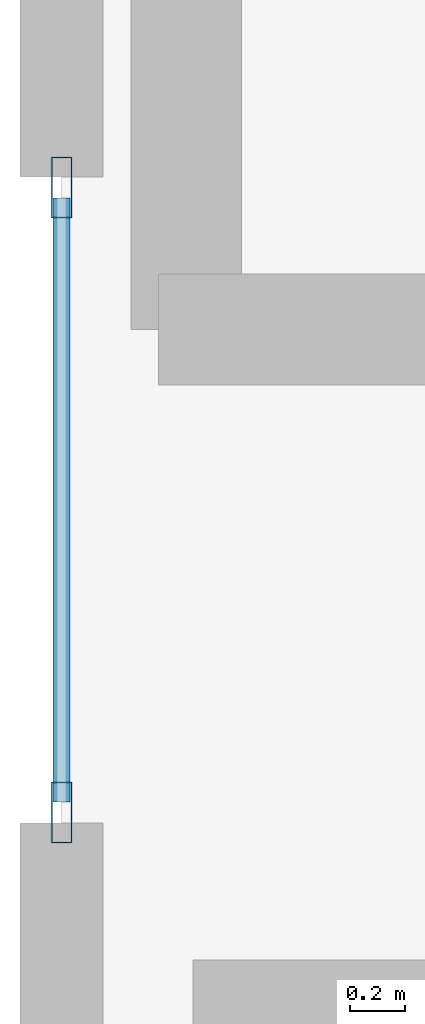
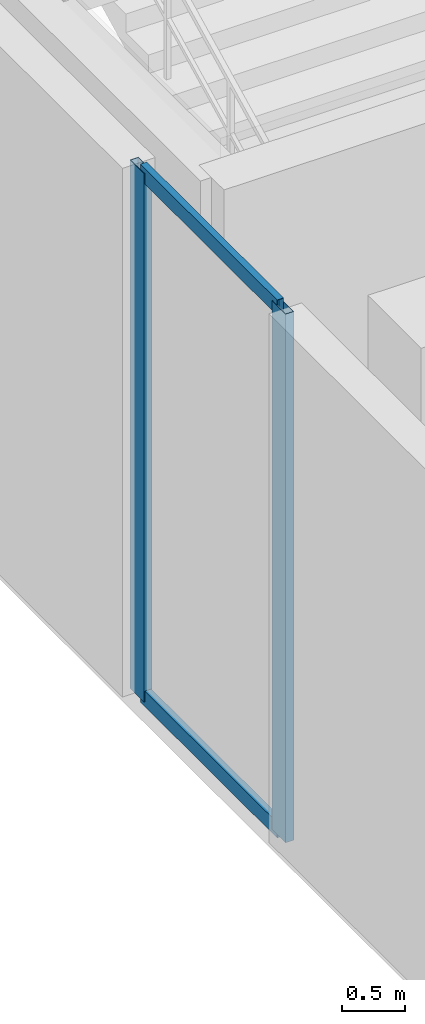
# One storey, part 3 of 30: 4 members, 1 element without a shape of its own.
"""IFC4 building model written with IfcOpenShell, lengths in metres."""

import ifcopenshell
import ifcopenshell.guid

model = None  # the IFC model being written
_history = None  # IfcOwnerHistory: only IFC2X3 demands one
_inside = {}  # id of a spatial element -> (the spatial element, [elements in it])
_under = {}  # id of a project, library or spatial element -> (it, [spatial elements below it])
_declared = {}  # id of a project -> (the project, [libraries it declares])
_typed = {}  # id of a type object -> (the type object, [elements of that type])
_made_of = {}  # id of a material, layer set ... -> (it, [elements and type objects made of it])


def new_model(schema):
    """Start an empty IFC model of exactly this schema.

    Asked for "IFC4X3", IfcOpenShell would pick the latest addendum, in which some entities
    have other attributes; the version numbers below select the first issue.
    IFC2X3 requires an IfcOwnerHistory on every rooted entity: one is made here for all.
    """
    global model, _history
    if schema == "IFC4X3":
        model = ifcopenshell.file(schema_version=(4, 3, 0, 0))
    else:
        model = ifcopenshell.file(schema=schema)
    _inside.clear()
    _under.clear()
    _declared.clear()
    _typed.clear()
    _made_of.clear()
    _history = None
    if model.schema == "IFC2X3":
        org = make("IfcOrganization", Name="unknown")
        user = make(
            "IfcPersonAndOrganization",
            ThePerson=make("IfcPerson", FamilyName="unknown"),
            TheOrganization=org,
        )
        app = make(
            "IfcApplication",
            ApplicationDeveloper=org,
            Version="unknown",
            ApplicationFullName="unknown",
            ApplicationIdentifier="unknown",
        )
        _history = make(
            "IfcOwnerHistory",
            OwningUser=user,
            OwningApplication=app,
            ChangeAction="ADDED",
            CreationDate=0,
        )
    return model


def make(cls, **values):
    """One entity of the class cls with the attributes given. An attribute that is None is left unset."""
    return model.create_entity(
        cls, **{name: value for name, value in values.items() if value is not None}
    )


def rooted(cls, **values):
    """An entity with a GlobalId (a new one), such as an element, a storey or a relation."""
    return make(cls, GlobalId=ifcopenshell.guid.new(), OwnerHistory=_history, **values)


def si_unit(unit_type, name, prefix=None):
    """IfcSIUnit, for example si_unit("LENGTHUNIT", "METRE", prefix="MILLI")."""
    return make("IfcSIUnit", UnitType=unit_type, Prefix=prefix, Name=name)


def assignment(units):
    """IfcUnitAssignment: the units of a project."""
    return None if units is None else make("IfcUnitAssignment", Units=units)


def point(xyz):
    """IfcCartesianPoint."""
    return None if xyz is None else make("IfcCartesianPoint", Coordinates=xyz)


def direction(xyz):
    """IfcDirection."""
    return None if xyz is None else make("IfcDirection", DirectionRatios=xyz)


def frame(location, z_axis=None, x_axis=None):
    """IfcAxis2Placement3D, a coordinate frame: its origin and axes. An axis left out is left unset."""
    return make(
        "IfcAxis2Placement3D",
        Location=point(location),
        Axis=direction(z_axis),
        RefDirection=direction(x_axis),
    )


def frame_2d(location, x_axis=None):
    """IfcAxis2Placement2D, a coordinate frame in the plane: its origin and x axis."""
    return make(
        "IfcAxis2Placement2D", Location=point(location), RefDirection=direction(x_axis)
    )


def origin():
    """The frame at (0, 0, 0) with its axes left unset."""
    return frame((0.0, 0.0, 0.0))


def origin_2d():
    """The frame at (0, 0) in the plane with its x axis left unset."""
    return frame_2d((0.0, 0.0))


def place(relative_to, where):
    """IfcLocalPlacement: puts the frame where relative to a parent placement (None: the world)."""
    return make(
        "IfcLocalPlacement", PlacementRelTo=relative_to, RelativePlacement=where
    )


def context(
    kind, dimensions, precision=None, world=None, true_north=None, identifier=None
):
    """IfcGeometricRepresentationContext, for example the 3D "Model" context."""
    return make(
        "IfcGeometricRepresentationContext",
        ContextIdentifier=identifier,
        ContextType=kind,
        CoordinateSpaceDimension=dimensions,
        Precision=precision,
        WorldCoordinateSystem=world,
        TrueNorth=true_north,
    )


def subcontext(parent, identifier, kind, view, scale=None):
    """IfcGeometricRepresentationSubContext, for example "Body" below "Model"."""
    return make(
        "IfcGeometricRepresentationSubContext",
        ContextIdentifier=identifier,
        ContextType=kind,
        ParentContext=parent,
        TargetScale=scale,
        TargetView=view,
    )


def project(units=None, contexts=None):
    """IfcProject with its units and contexts."""
    return rooted(
        "IfcProject",
        Name="project",
        RepresentationContexts=contexts,
        UnitsInContext=assignment(units),
    )


def spatial(cls, under=None, at=None, **own):
    """A site, building, storey or space (cls), placed at a placement, below another one or the project."""
    s = rooted(cls, ObjectPlacement=at, **own)
    if under is not None:
        _under.setdefault(under.id(), (under, []))[1].append(s)
    return s


def profile(cls, at=None, kind="AREA", **sizes):
    """A parametric profile (cls). Its sizes go by their IFC names, for example OverallWidth=200.0."""
    return make(cls, ProfileType=kind, Position=at, **sizes)


def hollow_rectangle(**sizes):
    """IfcRectangleHollowProfileDef."""
    return profile("IfcRectangleHollowProfileDef", **sizes)


def extrude(swept, where, along, depth):
    """IfcExtrudedAreaSolid: the profile swept, set in the frame where, extruded along a direction by depth."""
    return make(
        "IfcExtrudedAreaSolid",
        SweptArea=swept,
        Position=where,
        ExtrudedDirection=direction(along),
        Depth=depth,
    )


def shape(context_of_items, identifier, shape_type, items):
    """IfcShapeRepresentation: the items that make up one representation, for example the "Body"."""
    return make(
        "IfcShapeRepresentation",
        ContextOfItems=context_of_items,
        RepresentationIdentifier=identifier,
        RepresentationType=shape_type,
        Items=items,
    )


def material(Name=None, Category=None):
    """IfcMaterial."""
    return make("IfcMaterial", Name=Name, Category=Category)


def layer(
    of_material, thickness, ventilated=None, Name=None, Category=None, Priority=None
):
    """IfcMaterialLayer: one layer of a wall or slab, of a material (None: an air gap)."""
    return make(
        "IfcMaterialLayer",
        Material=of_material,
        LayerThickness=thickness,
        IsVentilated=ventilated,
        Name=Name,
        Category=Category,
        Priority=Priority,
    )


def layer_set(layers, Name=None):
    """IfcMaterialLayerSet."""
    return make("IfcMaterialLayerSet", MaterialLayers=layers, LayerSetName=Name)


def material_profile(
    of_material, cross_section, Name=None, Category=None, Priority=None
):
    """IfcMaterialProfile: a cross section and its material."""
    return make(
        "IfcMaterialProfile",
        Name=Name,
        Material=of_material,
        Profile=cross_section,
        Priority=Priority,
        Category=Category,
    )


def profile_set(profiles, Name=None, composite=None):
    """IfcMaterialProfileSet."""
    return make(
        "IfcMaterialProfileSet",
        Name=Name,
        MaterialProfiles=profiles,
        CompositeProfile=composite,
    )


def made_of(thing, what):
    """Note that an element or type object is made of a material, layer set ...; save() writes the relation."""
    if what is not None:
        _made_of.setdefault(what.id(), (what, []))[1].append(thing)
    return thing


def type_object(cls, material=None, **own):
    """A type object (cls), such as IfcWallType, which elements share."""
    return made_of(rooted(cls, **own), material)


def element(
    cls,
    number,
    at=None,
    inside=None,
    cuts=None,
    type_object=None,
    material=None,
    context=None,
    identifier="Body",
    shape_type=None,
    held_by="IfcProductDefinitionShape",
    body=None,
    shapes=None,
    **own,
):
    """One element of the class cls, such as IfcWall. Its Tag is "e" and its number.

    at: its placement. inside: the storey or other place that contains it. cuts: it is an
    opening in that element (IfcRelVoidsElement). A single representation is given by context,
    identifier, shape_type and body (its items); several are given by shapes. held_by: the class
    of the entity that holds the representations. save() writes the other relations.
    """
    e = rooted(cls, Tag="e%d" % number, ObjectPlacement=at, **own)
    if body is not None:
        shapes = [shape(context, identifier, shape_type, body)]
    if shapes is not None:
        e.Representation = make(held_by, Representations=shapes)
    if inside is not None:
        _inside.setdefault(inside.id(), (inside, []))[1].append(e)
    if cuts is not None:
        rooted(
            "IfcRelVoidsElement", RelatingBuildingElement=cuts, RelatedOpeningElement=e
        )
    if type_object is not None:
        _typed.setdefault(type_object.id(), (type_object, []))[1].append(e)
    return made_of(e, material)


def aggregate(whole, parts):
    """IfcRelAggregates: a whole, such as a stair, and the parts it consists of."""
    return rooted("IfcRelAggregates", RelatingObject=whole, RelatedObjects=parts)


def save(model, path):
    """Write the relations noted so far, then the file.

    IfcRelAggregates (storeys below a building ...), IfcRelContainedInSpatialStructure (elements
    in a storey), IfcRelDefinesByType, IfcRelAssociatesMaterial and IfcRelDeclares: one each for
    every whole, place, type object, material and project.
    """
    for whole, parts in _under.values():
        aggregate(whole, parts)
    for where, things in _inside.values():
        rooted(
            "IfcRelContainedInSpatialStructure",
            RelatedElements=things,
            RelatingStructure=where,
        )
    for kind, things in _typed.values():
        rooted("IfcRelDefinesByType", RelatedObjects=things, RelatingType=kind)
    for what, things in _made_of.values():
        rooted("IfcRelAssociatesMaterial", RelatedObjects=things, RelatingMaterial=what)
    for by, libraries in _declared.values():
        rooted("IfcRelDeclares", RelatingContext=by, RelatedDefinitions=libraries)
    model.write(path)


model = new_model("IFC4")

# Units and contexts
model_context = context("Model", 3, precision=1e-05, world=origin(), true_north=direction((0.0, 1.0)))
body_context = subcontext(model_context, "Body", "Model", "MODEL_VIEW")
ifc_project = project(units=[si_unit("LENGTHUNIT", "METRE"), si_unit("AREAUNIT", "SQUARE_METRE"), si_unit("VOLUMEUNIT", "CUBIC_METRE"), si_unit("PLANEANGLEUNIT", "RADIAN"), si_unit("MASSUNIT", "GRAM", prefix="KILO")], contexts=[model_context])

# Site, building, storey
site_placement = place(None, origin())
site = spatial("IfcSite", under=ifc_project, at=site_placement, CompositionType="ELEMENT")
building_placement = place(site_placement, origin())
building = spatial("IfcBuilding", under=site, at=building_placement, Name="Zuhayl Quay Hotel", CompositionType="ELEMENT")
storey_placement = place(building_placement, frame((0.0, 0.0, 6.0)))
storey = spatial("IfcBuildingStorey", under=building, at=storey_placement, Name="L01", CompositionType="ELEMENT", Elevation=6.0)

# Curtain wall, members
ifc_material_1 = material(Name="Anodised Aluminium 6063-T6", Category="aluminium")
ifc_layer = layer(ifc_material_1, 0.199951171875, Name="Anodised Aluminium 6063-T6", Category="aluminium")
ifc_layer_set = layer_set([ifc_layer], Name="Anodised Aluminium 6063-T6")
curtain_wall_type = type_object("IfcCurtainWallType", Name="CW_SYS_POD", PredefinedType="USERDEFINED", material=ifc_layer_set)
curtain_wall_placement = place(storey_placement, origin())
curtain_wall = element("IfcCurtainWall", 1, at=curtain_wall_placement, inside=storey, type_object=curtain_wall_type, Name="L01 Curtain Wall ENV_L01_E02_CW1", ObjectType="UNITISED CURTAIN WALL", PredefinedType="USERDEFINED")
ifc_material_2 = material(Name="Black-anodised aluminium 6063-T6", Category="aluminium")
ifc_material_profile_1 = material_profile(ifc_material_2, hollow_rectangle(XDim=0.074951171875, YDim=0.219970703125, WallThickness=0.00390625, at=origin_2d()), Name="ALU220X75")
ifc_profile_set_1 = profile_set([ifc_material_profile_1], Name="Black-anodised aluminium 6063-T6")
member_type_1 = type_object("IfcMemberType", Name="MB_CW_MUL_220", PredefinedType="MULLION", material=ifc_profile_set_1)
member_1_placement = place(storey_placement, frame((-36.0, -15.54248046875, 0.0), z_axis=(0.0, 0.0, 1.0), x_axis=(-1.0, 0.0, 0.0)))
member_1 = element("IfcMember", 2, at=member_1_placement, type_object=member_type_1, Name="CW-POD mullion 1", PredefinedType="MULLION", context=body_context, shape_type="SweptSolid", body=[
    extrude(hollow_rectangle(XDim=0.074951171875, YDim=0.219970703125, WallThickness=0.00390625, at=origin_2d()), origin(), (0.0, 0.0, 1.0), 5.139892578125),
])
member_2_placement = place(storey_placement, frame((-36.0, -13.28759765625, 0.0), z_axis=(0.0, 0.0, 1.0), x_axis=(-1.0, 0.0, 0.0)))
member_2 = element("IfcMember", 3, at=member_2_placement, type_object=member_type_1, Name="CW-POD mullion 2", PredefinedType="MULLION", context=body_context, shape_type="SweptSolid", body=[
    extrude(hollow_rectangle(XDim=0.074951171875, YDim=0.219970703125, WallThickness=0.00390625, at=origin_2d()), origin(), (0.0, 0.0, 1.0), 5.139892578125),
])
ifc_material_profile_2 = material_profile(ifc_material_2, hollow_rectangle(XDim=0.06005859375, YDim=0.14990234375, WallThickness=0.00341796875, at=origin_2d()), Name="ALU150X60")
ifc_profile_set_2 = profile_set([ifc_material_profile_2], Name="Black-anodised aluminium 6063-T6")
member_type_2 = type_object("IfcMemberType", Name="MB_CW_TRN_150", PredefinedType="USERDEFINED", material=ifc_profile_set_2)
member_3_placement = place(storey_placement, frame((-36.0, -15.5048828125, 0.030029296875), z_axis=(0.0, 1.0, 0.0), x_axis=(-1.0, 0.0, 0.0)))
member_3 = element("IfcMember", 4, at=member_3_placement, type_object=member_type_2, Name="CW-POD transom 1.1", ObjectType="TRANSOM", PredefinedType="USERDEFINED", context=body_context, shape_type="SweptSolid", body=[
    extrude(hollow_rectangle(XDim=0.06005859375, YDim=0.14990234375, WallThickness=0.00341796875, at=origin_2d()), origin(), (0.0, 0.0, 1.0), 2.179931640625),
])
member_4_placement = place(storey_placement, frame((-36.0, -15.5048828125, 5.110107421875), z_axis=(0.0, 1.0, 0.0), x_axis=(-1.0, 0.0, 0.0)))
member_4 = element("IfcMember", 5, at=member_4_placement, type_object=member_type_2, Name="CW-POD transom 1.2", ObjectType="TRANSOM", PredefinedType="USERDEFINED", context=body_context, shape_type="SweptSolid", body=[
    extrude(hollow_rectangle(XDim=0.06005859375, YDim=0.14990234375, WallThickness=0.00341796875, at=origin_2d()), origin(), (0.0, 0.0, 1.0), 2.179931640625),
])
aggregate(curtain_wall, [member_1, member_2, member_3, member_4])

save(model, "model.ifc")
